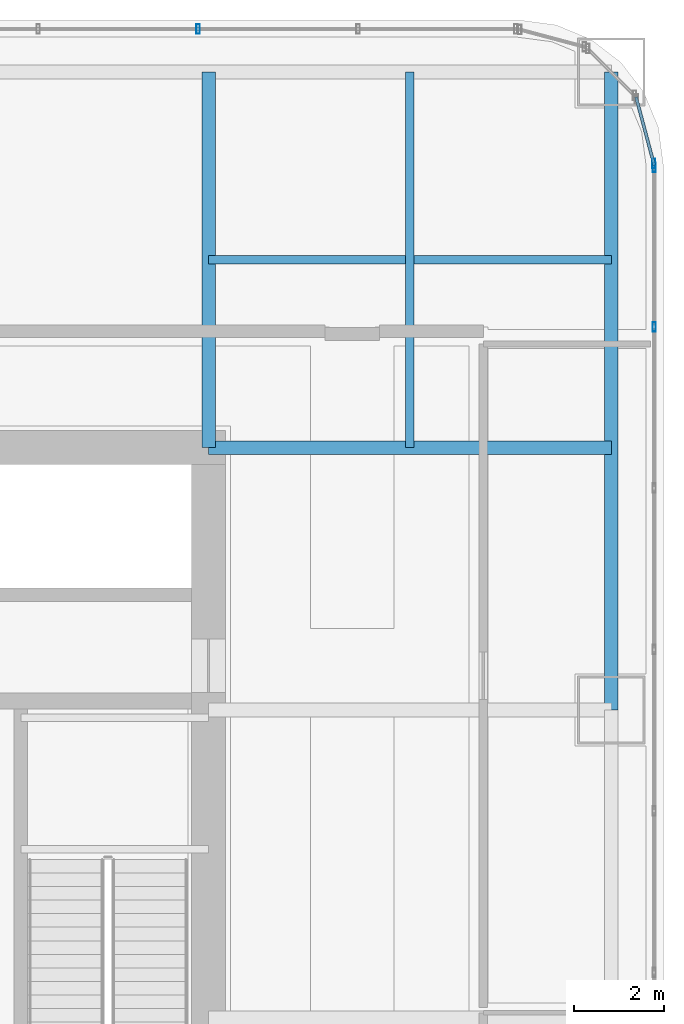
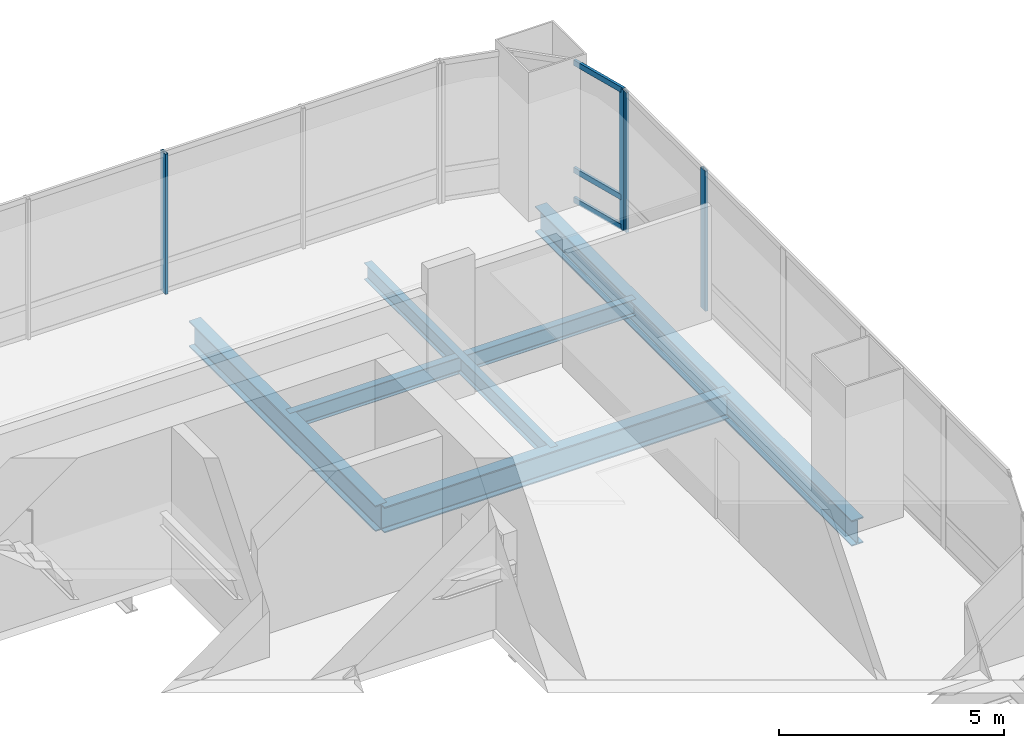
# One storey, part 24 of 36: 7 members, 5 beams, 3 elements without a shape of their own.
"""IFC4 building model written with IfcOpenShell, lengths in metres."""

import ifcopenshell
import ifcopenshell.guid

model = None  # the IFC model being written
_history = None  # IfcOwnerHistory: only IFC2X3 demands one
_inside = {}  # id of a spatial element -> (the spatial element, [elements in it])
_under = {}  # id of a project, library or spatial element -> (it, [spatial elements below it])
_declared = {}  # id of a project -> (the project, [libraries it declares])
_typed = {}  # id of a type object -> (the type object, [elements of that type])
_made_of = {}  # id of a material, layer set ... -> (it, [elements and type objects made of it])


def new_model(schema):
    """Start an empty IFC model of exactly this schema.

    Asked for "IFC4X3", IfcOpenShell would pick the latest addendum, in which some entities
    have other attributes; the version numbers below select the first issue.
    IFC2X3 requires an IfcOwnerHistory on every rooted entity: one is made here for all.
    """
    global model, _history
    if schema == "IFC4X3":
        model = ifcopenshell.file(schema_version=(4, 3, 0, 0))
    else:
        model = ifcopenshell.file(schema=schema)
    _inside.clear()
    _under.clear()
    _declared.clear()
    _typed.clear()
    _made_of.clear()
    _history = None
    if model.schema == "IFC2X3":
        org = make("IfcOrganization", Name="unknown")
        user = make(
            "IfcPersonAndOrganization",
            ThePerson=make("IfcPerson", FamilyName="unknown"),
            TheOrganization=org,
        )
        app = make(
            "IfcApplication",
            ApplicationDeveloper=org,
            Version="unknown",
            ApplicationFullName="unknown",
            ApplicationIdentifier="unknown",
        )
        _history = make(
            "IfcOwnerHistory",
            OwningUser=user,
            OwningApplication=app,
            ChangeAction="ADDED",
            CreationDate=0,
        )
    return model


def make(cls, **values):
    """One entity of the class cls with the attributes given. An attribute that is None is left unset."""
    return model.create_entity(
        cls, **{name: value for name, value in values.items() if value is not None}
    )


def rooted(cls, **values):
    """An entity with a GlobalId (a new one), such as an element, a storey or a relation."""
    return make(cls, GlobalId=ifcopenshell.guid.new(), OwnerHistory=_history, **values)


def si_unit(unit_type, name, prefix=None):
    """IfcSIUnit, for example si_unit("LENGTHUNIT", "METRE", prefix="MILLI")."""
    return make("IfcSIUnit", UnitType=unit_type, Prefix=prefix, Name=name)


def assignment(units):
    """IfcUnitAssignment: the units of a project."""
    return None if units is None else make("IfcUnitAssignment", Units=units)


def point(xyz):
    """IfcCartesianPoint."""
    return None if xyz is None else make("IfcCartesianPoint", Coordinates=xyz)


def direction(xyz):
    """IfcDirection."""
    return None if xyz is None else make("IfcDirection", DirectionRatios=xyz)


def frame(location, z_axis=None, x_axis=None):
    """IfcAxis2Placement3D, a coordinate frame: its origin and axes. An axis left out is left unset."""
    return make(
        "IfcAxis2Placement3D",
        Location=point(location),
        Axis=direction(z_axis),
        RefDirection=direction(x_axis),
    )


def frame_2d(location, x_axis=None):
    """IfcAxis2Placement2D, a coordinate frame in the plane: its origin and x axis."""
    return make(
        "IfcAxis2Placement2D", Location=point(location), RefDirection=direction(x_axis)
    )


def origin():
    """The frame at (0, 0, 0) with its axes left unset."""
    return frame((0.0, 0.0, 0.0))


def origin_2d():
    """The frame at (0, 0) in the plane with its x axis left unset."""
    return frame_2d((0.0, 0.0))


def place(relative_to, where):
    """IfcLocalPlacement: puts the frame where relative to a parent placement (None: the world)."""
    return make(
        "IfcLocalPlacement", PlacementRelTo=relative_to, RelativePlacement=where
    )


def context(
    kind, dimensions, precision=None, world=None, true_north=None, identifier=None
):
    """IfcGeometricRepresentationContext, for example the 3D "Model" context."""
    return make(
        "IfcGeometricRepresentationContext",
        ContextIdentifier=identifier,
        ContextType=kind,
        CoordinateSpaceDimension=dimensions,
        Precision=precision,
        WorldCoordinateSystem=world,
        TrueNorth=true_north,
    )


def subcontext(parent, identifier, kind, view, scale=None):
    """IfcGeometricRepresentationSubContext, for example "Body" below "Model"."""
    return make(
        "IfcGeometricRepresentationSubContext",
        ContextIdentifier=identifier,
        ContextType=kind,
        ParentContext=parent,
        TargetScale=scale,
        TargetView=view,
    )


def project(units=None, contexts=None):
    """IfcProject with its units and contexts."""
    return rooted(
        "IfcProject",
        Name="project",
        RepresentationContexts=contexts,
        UnitsInContext=assignment(units),
    )


def spatial(cls, under=None, at=None, **own):
    """A site, building, storey or space (cls), placed at a placement, below another one or the project."""
    s = rooted(cls, ObjectPlacement=at, **own)
    if under is not None:
        _under.setdefault(under.id(), (under, []))[1].append(s)
    return s


def profile(cls, at=None, kind="AREA", **sizes):
    """A parametric profile (cls). Its sizes go by their IFC names, for example OverallWidth=200.0."""
    return make(cls, ProfileType=kind, Position=at, **sizes)


def hollow_rectangle(**sizes):
    """IfcRectangleHollowProfileDef."""
    return profile("IfcRectangleHollowProfileDef", **sizes)


def i_section(**sizes):
    """IfcIShapeProfileDef."""
    return profile("IfcIShapeProfileDef", **sizes)


def extrude(swept, where, along, depth):
    """IfcExtrudedAreaSolid: the profile swept, set in the frame where, extruded along a direction by depth."""
    return make(
        "IfcExtrudedAreaSolid",
        SweptArea=swept,
        Position=where,
        ExtrudedDirection=direction(along),
        Depth=depth,
    )


def shape(context_of_items, identifier, shape_type, items):
    """IfcShapeRepresentation: the items that make up one representation, for example the "Body"."""
    return make(
        "IfcShapeRepresentation",
        ContextOfItems=context_of_items,
        RepresentationIdentifier=identifier,
        RepresentationType=shape_type,
        Items=items,
    )


def material(Name=None, Category=None):
    """IfcMaterial."""
    return make("IfcMaterial", Name=Name, Category=Category)


def material_profile(
    of_material, cross_section, Name=None, Category=None, Priority=None
):
    """IfcMaterialProfile: a cross section and its material."""
    return make(
        "IfcMaterialProfile",
        Name=Name,
        Material=of_material,
        Profile=cross_section,
        Priority=Priority,
        Category=Category,
    )


def profile_set(profiles, Name=None, composite=None):
    """IfcMaterialProfileSet."""
    return make(
        "IfcMaterialProfileSet",
        Name=Name,
        MaterialProfiles=profiles,
        CompositeProfile=composite,
    )


def made_of(thing, what):
    """Note that an element or type object is made of a material, layer set ...; save() writes the relation."""
    if what is not None:
        _made_of.setdefault(what.id(), (what, []))[1].append(thing)
    return thing


def type_object(cls, material=None, **own):
    """A type object (cls), such as IfcWallType, which elements share."""
    return made_of(rooted(cls, **own), material)


def element(
    cls,
    number,
    at=None,
    inside=None,
    cuts=None,
    type_object=None,
    material=None,
    context=None,
    identifier="Body",
    shape_type=None,
    held_by="IfcProductDefinitionShape",
    body=None,
    shapes=None,
    **own,
):
    """One element of the class cls, such as IfcWall. Its Tag is "e" and its number.

    at: its placement. inside: the storey or other place that contains it. cuts: it is an
    opening in that element (IfcRelVoidsElement). A single representation is given by context,
    identifier, shape_type and body (its items); several are given by shapes. held_by: the class
    of the entity that holds the representations. save() writes the other relations.
    """
    e = rooted(cls, Tag="e%d" % number, ObjectPlacement=at, **own)
    if body is not None:
        shapes = [shape(context, identifier, shape_type, body)]
    if shapes is not None:
        e.Representation = make(held_by, Representations=shapes)
    if inside is not None:
        _inside.setdefault(inside.id(), (inside, []))[1].append(e)
    if cuts is not None:
        rooted(
            "IfcRelVoidsElement", RelatingBuildingElement=cuts, RelatedOpeningElement=e
        )
    if type_object is not None:
        _typed.setdefault(type_object.id(), (type_object, []))[1].append(e)
    return made_of(e, material)


def aggregate(whole, parts):
    """IfcRelAggregates: a whole, such as a stair, and the parts it consists of."""
    return rooted("IfcRelAggregates", RelatingObject=whole, RelatedObjects=parts)


def save(model, path):
    """Write the relations noted so far, then the file.

    IfcRelAggregates (storeys below a building ...), IfcRelContainedInSpatialStructure (elements
    in a storey), IfcRelDefinesByType, IfcRelAssociatesMaterial and IfcRelDeclares: one each for
    every whole, place, type object, material and project.
    """
    for whole, parts in _under.values():
        aggregate(whole, parts)
    for where, things in _inside.values():
        rooted(
            "IfcRelContainedInSpatialStructure",
            RelatedElements=things,
            RelatingStructure=where,
        )
    for kind, things in _typed.values():
        rooted("IfcRelDefinesByType", RelatedObjects=things, RelatingType=kind)
    for what, things in _made_of.values():
        rooted("IfcRelAssociatesMaterial", RelatedObjects=things, RelatingMaterial=what)
    for by, libraries in _declared.values():
        rooted("IfcRelDeclares", RelatingContext=by, RelatedDefinitions=libraries)
    model.write(path)


model = new_model("IFC4")

# Units and contexts
model_context = context("Model", 3, precision=1e-05, world=origin(), true_north=direction((0.0, 1.0)))
body_context = subcontext(model_context, "Body", "Model", "MODEL_VIEW")
ifc_project = project(units=[si_unit("LENGTHUNIT", "METRE"), si_unit("AREAUNIT", "SQUARE_METRE"), si_unit("VOLUMEUNIT", "CUBIC_METRE"), si_unit("PLANEANGLEUNIT", "RADIAN"), si_unit("MASSUNIT", "GRAM", prefix="KILO")], contexts=[model_context])

# Site, building, storey
site_placement = place(None, origin())
site = spatial("IfcSite", under=ifc_project, at=site_placement, CompositionType="ELEMENT")
building_placement = place(site_placement, origin())
building = spatial("IfcBuilding", under=site, at=building_placement, Name="Punatoya Terracotta Tower", CompositionType="ELEMENT")
storey_placement = place(building_placement, frame((0.0, 0.0, 48.449951171875)))
storey = spatial("IfcBuildingStorey", under=building, at=storey_placement, Name="L10", CompositionType="ELEMENT", Elevation=48.449951171875)

# Beams
ifc_material_1 = material(Name="Steel S355", Category="steel")
ifc_material_profile_1 = material_profile(ifc_material_1, i_section(OverallWidth=0.300048828125, OverallDepth=0.699951171875, WebThickness=0.01708984375, FlangeThickness=0.031982421875, FilletRadius=0.01806640625, at=origin_2d()))
ifc_profile_set_1 = profile_set([ifc_material_profile_1], Name="Steel S355")
beam_type_1 = type_object("IfcBeamType", Name="BM-PRI-700", PredefinedType="BEAM", material=ifc_profile_set_1)
beam_1_placement = place(storey_placement, frame((19.10009765625, 3.39990234375, -0.58984375), z_axis=(0.0, 1.0, 0.0), x_axis=(-1.0, 0.0, 0.0)))
element("IfcBeam", 1, at=beam_1_placement, inside=storey, type_object=beam_type_1, Name="BM-L10-RG-E3", PredefinedType="BEAM", context=body_context, shape_type="SweptSolid", body=[
    extrude(i_section(OverallWidth=0.300048828125, OverallDepth=0.699951171875, WebThickness=0.01708984375, FlangeThickness=0.031982421875, FilletRadius=0.01806640625, at=origin_2d()), origin(), (0.0, 0.0, 1.0), 14.10009765625),
])
beam_2_placement = place(storey_placement, frame((10.199951171875, 9.199951171875, -0.58984375), z_axis=(1.0, 0.0, 0.0), x_axis=(0.0, 1.0, 0.0)))
element("IfcBeam", 2, at=beam_2_placement, inside=storey, type_object=beam_type_1, Name="BM-L10-PR-EN", PredefinedType="BEAM", context=body_context, shape_type="SweptSolid", body=[
    extrude(i_section(OverallWidth=0.300048828125, OverallDepth=0.699951171875, WebThickness=0.01708984375, FlangeThickness=0.031982421875, FilletRadius=0.01806640625, at=origin_2d()), origin(), (0.0, 0.0, 1.0), 8.900146484375),
])
beam_3_placement = place(storey_placement, frame((10.199951171875, 9.199951171875, -0.58984375), z_axis=(0.0, 1.0, 0.0), x_axis=(-1.0, 0.0, 0.0)))
element("IfcBeam", 3, at=beam_3_placement, inside=storey, type_object=beam_type_1, Name="BM-L10-PR-N4", PredefinedType="BEAM", context=body_context, shape_type="SweptSolid", body=[
    extrude(i_section(OverallWidth=0.300048828125, OverallDepth=0.699951171875, WebThickness=0.01708984375, FlangeThickness=0.031982421875, FilletRadius=0.01806640625, at=origin_2d()), origin(), (0.0, 0.0, 1.0), 8.300048828125),
])
ifc_material_profile_2 = material_profile(ifc_material_1, i_section(OverallWidth=0.18994140625, OverallDepth=0.449951171875, WebThickness=0.009521484375, FlangeThickness=0.0146484375, FilletRadius=0.01806640625, at=origin_2d()))
ifc_profile_set_2 = profile_set([ifc_material_profile_2], Name="Steel S355")
beam_type_2 = type_object("IfcBeamType", Name="BM-SEC-450", PredefinedType="JOIST", material=ifc_profile_set_2)
beam_4_placement = place(storey_placement, frame((10.199951171875, 13.35009765625, -0.46484375), z_axis=(1.0, 0.0, 0.0), x_axis=(0.0, 1.0, 0.0)))
element("IfcBeam", 4, at=beam_4_placement, inside=storey, type_object=beam_type_2, Name="BM-L10-SJN-2", PredefinedType="JOIST", context=body_context, shape_type="SweptSolid", body=[
    extrude(i_section(OverallWidth=0.18994140625, OverallDepth=0.449951171875, WebThickness=0.009521484375, FlangeThickness=0.0146484375, FilletRadius=0.01806640625, at=origin_2d()), origin(), (0.0, 0.0, 1.0), 8.900146484375),
])
beam_5_placement = place(storey_placement, frame((14.64990234375, 9.199951171875, -0.46484375), z_axis=(0.0, 1.0, 0.0), x_axis=(-1.0, 0.0, 0.0)))
element("IfcBeam", 5, at=beam_5_placement, inside=storey, type_object=beam_type_2, Name="BM-L10-SJE-2", PredefinedType="JOIST", context=body_context, shape_type="SweptSolid", body=[
    extrude(i_section(OverallWidth=0.18994140625, OverallDepth=0.449951171875, WebThickness=0.009521484375, FlangeThickness=0.0146484375, FilletRadius=0.01806640625, at=origin_2d()), origin(), (0.0, 0.0, 1.0), 8.300048828125),
])

# Curtain wall, members
ifc_material_2 = material(Name="Aluminium 6063-T6 + Double Low-E Glass", Category="aluminium")
curtain_wall_type = type_object("IfcCurtainWallType", Name="CW-M1", PredefinedType="NOTDEFINED", material=ifc_material_2)
curtain_wall_1_placement = place(storey_placement, origin())
curtain_wall_1 = element("IfcCurtainWall", 6, at=curtain_wall_1_placement, inside=storey, type_object=curtain_wall_type, Name="L10 Curtain Wall CW-L10-E05-1", PredefinedType="NOTDEFINED")
ifc_material_3 = material(Name="Aluminium 6063-T6", Category="aluminium")
ifc_material_profile_3 = material_profile(ifc_material_3, hollow_rectangle(XDim=0.074951171875, YDim=0.2099609375, WallThickness=0.00439453125, at=origin_2d()))
ifc_profile_set_3 = profile_set([ifc_material_profile_3], Name="Aluminium 6063-T6")
member_type_1 = type_object("IfcMemberType", Name="CW-MUL-M1", PredefinedType="MULLION", material=ifc_profile_set_3)
member_1_placement = place(storey_placement, frame((20.050048828125, 11.869384765625, 0.0), z_axis=(0.0, 0.0, 1.0), x_axis=(1.0, 0.0, 0.0)))
member_1 = element("IfcMember", 7, at=member_1_placement, type_object=member_type_1, Name="CW-L10-E05-1 Mullion 09", PredefinedType="MULLION", context=body_context, shape_type="SweptSolid", body=[
    extrude(hollow_rectangle(XDim=0.074951171875, YDim=0.2099609375, WallThickness=0.00439453125, at=origin_2d()), origin(), (0.0, 0.0, 1.0), 3.81005859375),
])
member_2_placement = place(storey_placement, frame((20.050048828125, 15.391845703125, 0.0), z_axis=(0.0, 0.0, 1.0), x_axis=(1.0, 0.0, 0.0)))
member_2 = element("IfcMember", 8, at=member_2_placement, type_object=member_type_1, Name="CW-L10-E05-1 Mullion 10", PredefinedType="MULLION", context=body_context, shape_type="SweptSolid", body=[
    extrude(hollow_rectangle(XDim=0.074951171875, YDim=0.2099609375, WallThickness=0.00439453125, at=origin_2d()), origin(), (0.0, 0.0, 1.0), 3.81005859375),
])
aggregate(curtain_wall_1, [member_1, member_2])

# Curtain wall, member
curtain_wall_2_placement = place(storey_placement, origin())
curtain_wall_2 = element("IfcCurtainWall", 9, at=curtain_wall_2_placement, inside=storey, type_object=curtain_wall_type, Name="L10 Curtain Wall CW-L10-CRN06", PredefinedType="NOTDEFINED")
member_3_placement = place(storey_placement, frame((20.038330078125, 15.48046875, 0.0), z_axis=(0.0, 0.0, 1.0), x_axis=(1.0, 0.0, 0.0)))
member_3 = element("IfcMember", 10, at=member_3_placement, type_object=member_type_1, Name="CW-L10-CRN06 Mullion 00", PredefinedType="MULLION", context=body_context, shape_type="SweptSolid", body=[
    extrude(hollow_rectangle(XDim=0.074951171875, YDim=0.2099609375, WallThickness=0.00439453125, at=origin_2d()), origin(), (0.0, 0.0, 1.0), 3.81005859375),
])

curtain_wall_3_placement = place(storey_placement, origin())
curtain_wall_3 = element("IfcCurtainWall", 11, at=curtain_wall_3_placement, inside=storey, type_object=curtain_wall_type, Name="L10 Curtain Wall CW-L10-N09-1", PredefinedType="NOTDEFINED")
member_4_placement = place(storey_placement, frame((9.968994140625, 18.449951171875, 0.0), z_axis=(0.0, 0.0, 1.0), x_axis=(1.0, 0.0, 0.0)))
member_4 = element("IfcMember", 12, at=member_4_placement, type_object=member_type_1, Name="CW-L10-N09-1 Mullion 02", PredefinedType="MULLION", context=body_context, shape_type="SweptSolid", body=[
    extrude(hollow_rectangle(XDim=0.074951171875, YDim=0.2099609375, WallThickness=0.00439453125, at=origin_2d()), origin(), (0.0, 0.0, 1.0), 3.81005859375),
])
aggregate(curtain_wall_3, [member_4])

# Member
ifc_material_profile_4 = material_profile(ifc_material_3, hollow_rectangle(XDim=0.068115234375, YDim=0.14990234375, WallThickness=0.00390625, at=origin_2d()))
ifc_profile_set_4 = profile_set([ifc_material_profile_4], Name="Aluminium 6063-T6")
member_type_2 = type_object("IfcMemberType", Name="CW-TRN-TYP", PredefinedType="USERDEFINED", material=ifc_profile_set_4)
member_5_placement = place(storey_placement, frame((20.050048828125, 15.43701171875, 0.0400390625), z_axis=(-0.257847112249, 0.966185730957, 0.0), x_axis=(-0.966185730957, -0.257847112249, 0.0)))
member_5 = element("IfcMember", 13, at=member_5_placement, type_object=member_type_2, Name="CW-L10-CRN06 Transom 1", ObjectType="TRANSOM", PredefinedType="USERDEFINED", context=body_context, shape_type="SweptSolid", body=[
    extrude(hollow_rectangle(XDim=0.068115234375, YDim=0.14990234375, WallThickness=0.00390625, at=origin_2d()), origin(), (0.0, 0.0, 1.0), 1.565185546875),
])

member_6_placement = place(storey_placement, frame((20.050048828125, 15.43701171875, 0.85009765625), z_axis=(-0.257847112249, 0.966185730957, 0.0), x_axis=(-0.966185730957, -0.257847112249, 0.0)))
member_6 = element("IfcMember", 14, at=member_6_placement, type_object=member_type_2, Name="CW-L10-CRN06 Transom 2", ObjectType="TRANSOM", PredefinedType="USERDEFINED", context=body_context, shape_type="SweptSolid", body=[
    extrude(hollow_rectangle(XDim=0.068115234375, YDim=0.14990234375, WallThickness=0.00390625, at=origin_2d()), origin(), (0.0, 0.0, 1.0), 1.565185546875),
])

member_7_placement = place(storey_placement, frame((20.050048828125, 15.43701171875, 3.77001953125), z_axis=(-0.257847112249, 0.966185730957, 0.0), x_axis=(-0.966185730957, -0.257847112249, 0.0)))
member_7 = element("IfcMember", 15, at=member_7_placement, type_object=member_type_2, Name="CW-L10-CRN06 Transom 3", ObjectType="TRANSOM", PredefinedType="USERDEFINED", context=body_context, shape_type="SweptSolid", body=[
    extrude(hollow_rectangle(XDim=0.068115234375, YDim=0.14990234375, WallThickness=0.00390625, at=origin_2d()), origin(), (0.0, 0.0, 1.0), 1.565185546875),
])

aggregate(curtain_wall_2, [member_3, member_5, member_6, member_7])

save(model, "model.ifc")
